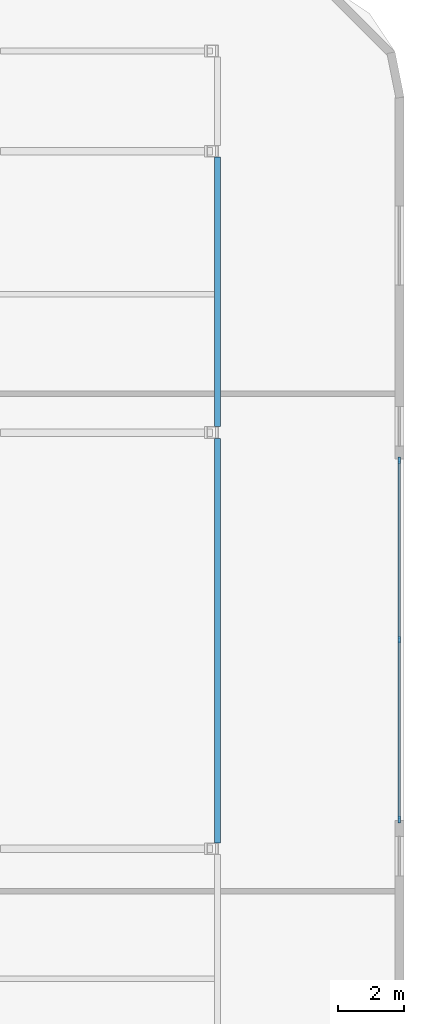
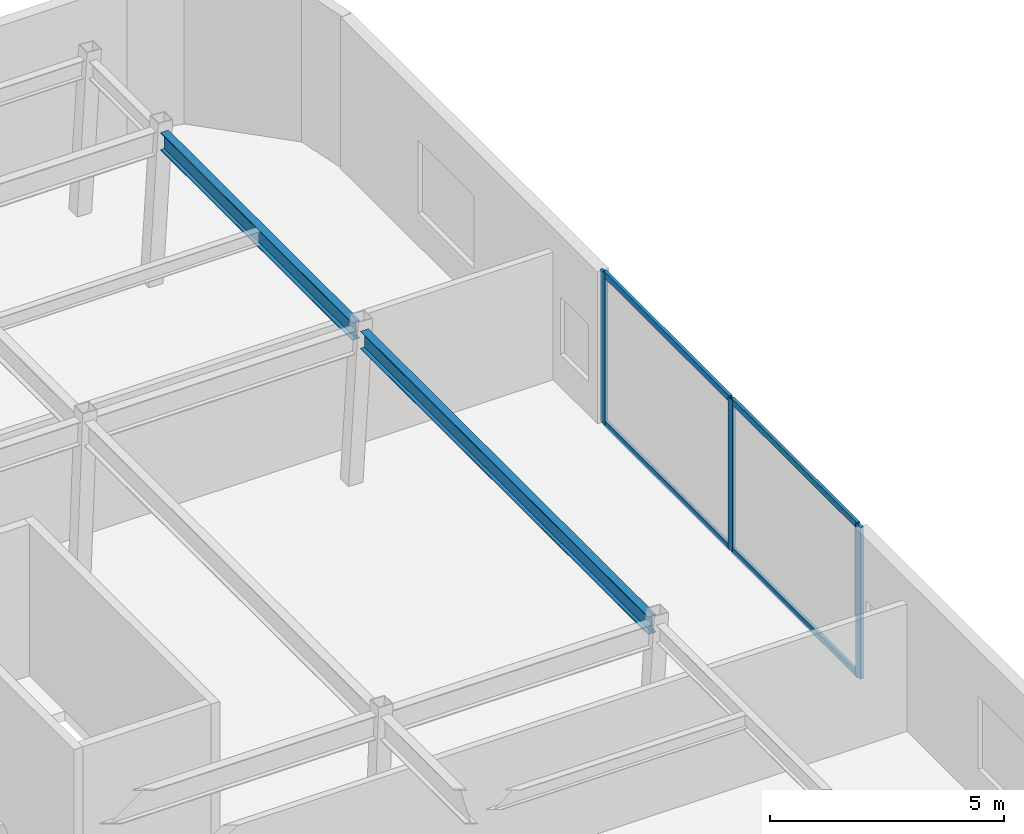
# One storey, part 4 of 10: 7 members, 2 beams, 1 element without a shape of its own.
"""IFC4 building model written with IfcOpenShell, lengths in metres."""

from ifc_helpers import new_model, si_unit, direction, frame, origin, origin_2d, place, context, subcontext, project, spatial, rectangle, i_section, extrude, material, layer, layer_set, material_profile, profile_set, type_object, element, aggregate, save


model = new_model("IFC4")

# Units and contexts
model_context = context("Model", 3, precision=1e-05, world=origin(), true_north=direction((0.0, 1.0)))
body_context = subcontext(model_context, "Body", "Model", "MODEL_VIEW")
ifc_project = project(units=[si_unit("LENGTHUNIT", "METRE"), si_unit("AREAUNIT", "SQUARE_METRE"), si_unit("VOLUMEUNIT", "CUBIC_METRE"), si_unit("PLANEANGLEUNIT", "RADIAN"), si_unit("MASSUNIT", "GRAM", prefix="KILO")], contexts=[model_context])

# Site, building, storey
site_placement = place(None, origin())
site = spatial("IfcSite", under=ifc_project, at=site_placement, CompositionType="ELEMENT")
building_placement = place(site_placement, origin())
building = spatial("IfcBuilding", under=site, at=building_placement, Name="Ochreholt Gables", CompositionType="ELEMENT")
storey_placement = place(building_placement, frame((0.0, 0.0, 173.39990234375)))
storey = spatial("IfcBuildingStorey", under=building, at=storey_placement, Name="L45", CompositionType="ELEMENT", Elevation=173.39990234375)

# Beams
ifc_material_1 = material(Name="Steel CSA G40.21 350W", Category="steel")
ifc_material_profile_1 = material_profile(ifc_material_1, i_section(OverallWidth=0.19189453125, OverallDepth=0.462890625, WebThickness=0.010498046875, FlangeThickness=0.017578125, at=origin_2d()), Name="W460X89")
ifc_profile_set_1 = profile_set([ifc_material_profile_1], Name="Steel CSA G40.21 350W")
beam_type = type_object("IfcBeamType", Name="BM-SP-W460A", PredefinedType="SPANDREL", material=ifc_profile_set_1)
beam_1_placement = place(storey_placement, frame((52.92919921875, 17.7275390625, 3.728515625), z_axis=(0.0, 1.0, 0.0), x_axis=(-1.0, 0.0, 0.0)))
element("IfcBeam", 1, at=beam_1_placement, inside=storey, type_object=beam_type, Name="L45 Beam TBN-L45-EE-Y3Y4", PredefinedType="SPANDREL", context=body_context, shape_type="SweptSolid", body=[
    extrude(i_section(OverallWidth=0.19189453125, OverallDepth=0.462890625, WebThickness=0.010498046875, FlangeThickness=0.017578125, at=origin_2d()), origin(), (0.0, 0.0, 1.0), 12.294921875),
])
beam_2_placement = place(storey_placement, frame((52.92919921875, 30.377685546875, 3.728515625), z_axis=(0.0, 1.0, 0.0), x_axis=(-1.0, 0.0, 0.0)))
element("IfcBeam", 2, at=beam_2_placement, inside=storey, type_object=beam_type, Name="L45 Beam TBN-L45-EE-Y4Y5", PredefinedType="SPANDREL", context=body_context, shape_type="SweptSolid", body=[
    extrude(i_section(OverallWidth=0.19189453125, OverallDepth=0.462890625, WebThickness=0.010498046875, FlangeThickness=0.017578125, at=origin_2d()), origin(), (0.0, 0.0, 1.0), 8.19482421875),
])

# Curtain wall, members
ifc_material_2 = material(Name="Unitised Aluminium and Triple Glazing", Category="aluminium")
ifc_layer = layer(ifc_material_2, 0.219970703125, Name="Unitised Aluminium and Triple Glazing")
ifc_layer_set = layer_set([ifc_layer], Name="Unitised Aluminium and Triple Glazing")
curtain_wall_type = type_object("IfcCurtainWallType", Name="CW-SYS6", PredefinedType="NOTDEFINED", material=ifc_layer_set)
curtain_wall_placement = place(storey_placement, origin())
curtain_wall = element("IfcCurtainWall", 3, at=curtain_wall_placement, inside=storey, type_object=curtain_wall_type, Name="L45 East Unitised Curtain Wall", PredefinedType="NOTDEFINED")
ifc_material_3 = material(Name="Anodized Aluminium 6063-T6", Category="aluminium")
ifc_material_profile_2 = material_profile(ifc_material_3, rectangle(XDim=0.074951171875, YDim=0.199951171875, at=origin_2d()), Name="CWM75X200")
ifc_profile_set_2 = profile_set([ifc_material_profile_2], Name="Anodized Aluminium 6063-T6")
member_type_1 = type_object("IfcMemberType", Name="CW-MUL-A", PredefinedType="MULLION", material=ifc_profile_set_2)
member_1_placement = place(storey_placement, frame((58.4599609375, 18.4375, 0.0), z_axis=(0.0, 0.0, 1.0), x_axis=(-1.0, 0.0, 0.0)))
member_1 = element("IfcMember", 4, at=member_1_placement, type_object=member_type_1, Name="CW-6 mullion 1", PredefinedType="MULLION", context=body_context, shape_type="SweptSolid", body=[
    extrude(rectangle(XDim=0.074951171875, YDim=0.199951171875, at=origin_2d()), origin(), (0.0, 0.0, 1.0), 3.960205078125),
])
member_2_placement = place(storey_placement, frame((58.4599609375, 23.89990234375, 0.0), z_axis=(0.0, 0.0, 1.0), x_axis=(-1.0, 0.0, 0.0)))
member_2 = element("IfcMember", 5, at=member_2_placement, type_object=member_type_1, Name="CW-6 mullion 2", PredefinedType="MULLION", context=body_context, shape_type="SweptSolid", body=[
    extrude(rectangle(XDim=0.074951171875, YDim=0.199951171875, at=origin_2d()), origin(), (0.0, 0.0, 1.0), 3.960205078125),
])
member_3_placement = place(storey_placement, frame((58.4599609375, 29.362548828125, 0.0), z_axis=(0.0, 0.0, 1.0), x_axis=(-1.0, 0.0, 0.0)))
member_3 = element("IfcMember", 6, at=member_3_placement, type_object=member_type_1, Name="CW-6 mullion 3", PredefinedType="MULLION", context=body_context, shape_type="SweptSolid", body=[
    extrude(rectangle(XDim=0.074951171875, YDim=0.199951171875, at=origin_2d()), origin(), (0.0, 0.0, 1.0), 3.960205078125),
])
ifc_material_profile_3 = material_profile(ifc_material_3, rectangle(XDim=0.074951171875, YDim=0.159912109375, at=origin_2d()), Name="CWT75X160")
ifc_profile_set_3 = profile_set([ifc_material_profile_3], Name="Anodized Aluminium 6063-T6")
member_type_2 = type_object("IfcMemberType", Name="CW-TRN-A", PredefinedType="USERDEFINED", material=ifc_profile_set_3)
member_4_placement = place(storey_placement, frame((58.4599609375, 18.47509765625, 0.03759765625), z_axis=(0.0, 1.0, 0.0), x_axis=(-1.0, 0.0, 0.0)))
member_4 = element("IfcMember", 7, at=member_4_placement, type_object=member_type_2, Name="CW-6 transom 1.1", ObjectType="TRANSOM", PredefinedType="USERDEFINED", context=body_context, shape_type="SweptSolid", body=[
    extrude(rectangle(XDim=0.074951171875, YDim=0.159912109375, at=origin_2d()), origin(), (0.0, 0.0, 1.0), 5.387451171875),
])
member_5_placement = place(storey_placement, frame((58.4599609375, 18.47509765625, 3.922607421875), z_axis=(0.0, 1.0, 0.0), x_axis=(-1.0, 0.0, 0.0)))
member_5 = element("IfcMember", 8, at=member_5_placement, type_object=member_type_2, Name="CW-6 transom 1.2", ObjectType="TRANSOM", PredefinedType="USERDEFINED", context=body_context, shape_type="SweptSolid", body=[
    extrude(rectangle(XDim=0.074951171875, YDim=0.159912109375, at=origin_2d()), origin(), (0.0, 0.0, 1.0), 5.387451171875),
])
member_6_placement = place(storey_placement, frame((58.4599609375, 23.9375, 0.03759765625), z_axis=(0.0, 1.0, 0.0), x_axis=(-1.0, 0.0, 0.0)))
member_6 = element("IfcMember", 9, at=member_6_placement, type_object=member_type_2, Name="CW-6 transom 2.1", ObjectType="TRANSOM", PredefinedType="USERDEFINED", context=body_context, shape_type="SweptSolid", body=[
    extrude(rectangle(XDim=0.074951171875, YDim=0.159912109375, at=origin_2d()), origin(), (0.0, 0.0, 1.0), 5.387451171875),
])
member_7_placement = place(storey_placement, frame((58.4599609375, 23.9375, 3.922607421875), z_axis=(0.0, 1.0, 0.0), x_axis=(-1.0, 0.0, 0.0)))
member_7 = element("IfcMember", 10, at=member_7_placement, type_object=member_type_2, Name="CW-6 transom 2.2", ObjectType="TRANSOM", PredefinedType="USERDEFINED", context=body_context, shape_type="SweptSolid", body=[
    extrude(rectangle(XDim=0.074951171875, YDim=0.159912109375, at=origin_2d()), origin(), (0.0, 0.0, 1.0), 5.387451171875),
])
aggregate(curtain_wall, [member_1, member_2, member_3, member_4, member_5, member_6, member_7])

save(model, "model.ifc")
